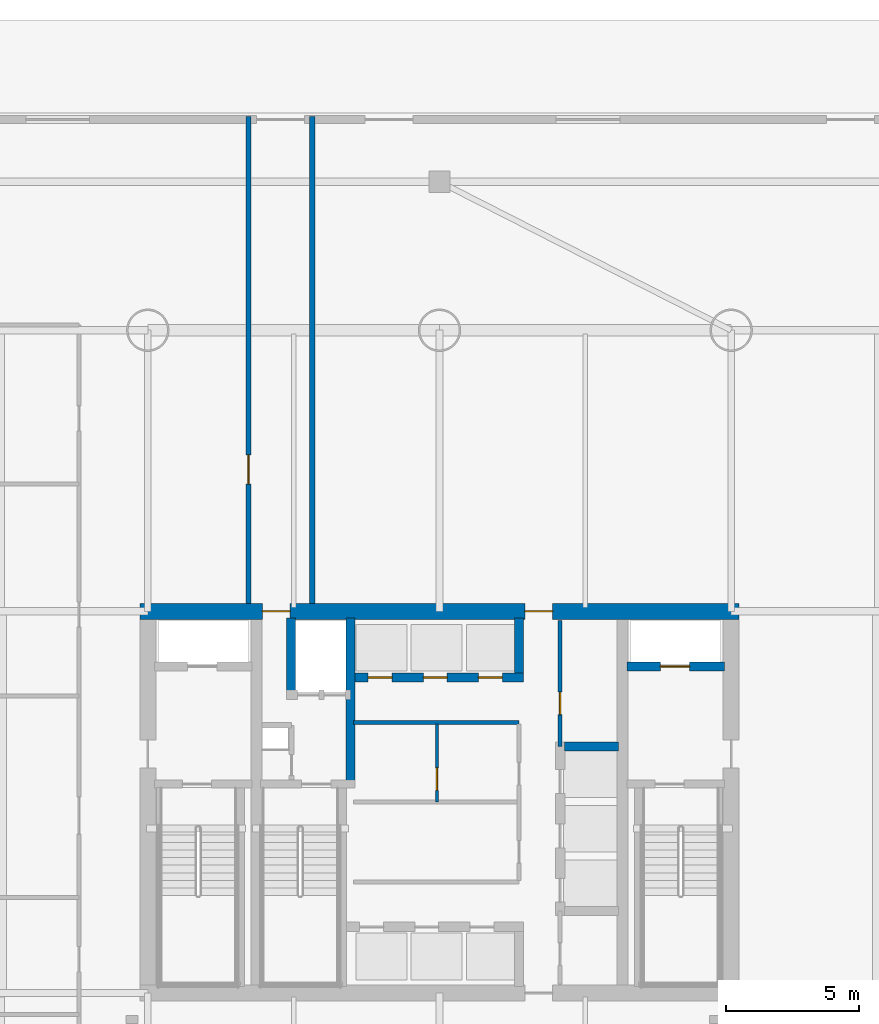
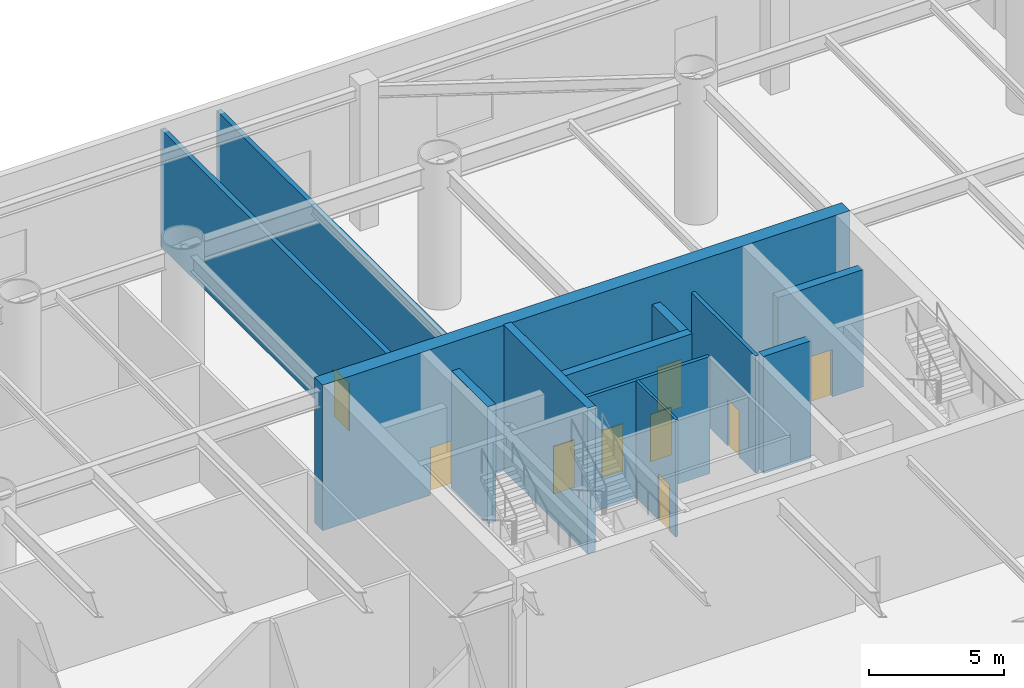
# One storey, part 6 of 15: 12 walls, 9 doors, 9 openings.
"""IFC4 building model written with IfcOpenShell, lengths in metres."""

from ifc_helpers import new_model, si_unit, direction, frame, frame_2d, origin, place, context, subcontext, project, spatial, rectangle, extrude, material, layer, layer_set, type_object, element, fill, save


model = new_model("IFC4")

# Units and contexts
model_context = context("Model", 3, precision=1e-05, world=origin(), true_north=direction((0.0, 1.0)))
body_context = subcontext(model_context, "Body", "Model", "MODEL_VIEW")
ifc_project = project(units=[si_unit("LENGTHUNIT", "METRE"), si_unit("AREAUNIT", "SQUARE_METRE"), si_unit("VOLUMEUNIT", "CUBIC_METRE"), si_unit("PLANEANGLEUNIT", "RADIAN"), si_unit("MASSUNIT", "GRAM", prefix="KILO")], contexts=[model_context])

# Site, building, storey
site_placement = place(None, origin())
site = spatial("IfcSite", under=ifc_project, at=site_placement, CompositionType="ELEMENT")
building_placement = place(site_placement, origin())
building = spatial("IfcBuilding", under=site, at=building_placement, Name="Bramvorn Convention Spire", CompositionType="ELEMENT")
storey_placement = place(building_placement, origin())
storey = spatial("IfcBuildingStorey", under=building, at=storey_placement, Name="L00", CompositionType="ELEMENT", Elevation=0.0)

# Wall, openings, doors
ifc_material_1 = material(Name="Concrete C60/70", Category="concrete")
ifc_layer_1 = layer(ifc_material_1, 0.60009765625)
ifc_layer_set_1 = layer_set([ifc_layer_1], Name="Concrete C60/70 - WL-CORE-600")
wall_type_1 = type_object("IfcWallType", Name="WL-CORE-600", PredefinedType="SHEAR", material=ifc_layer_set_1)
wall_1_placement = place(storey_placement, frame((26.699951171875, 33.199951171875, 0.0), z_axis=(0.0, 0.0, 1.0), x_axis=(1.0, 0.0, 0.0)))
wall_1 = element("IfcWall", 1, at=wall_1_placement, inside=storey, type_object=wall_type_1, Name="L00 North RC core shear wall", PredefinedType="SHEAR", context=body_context, shape_type="SweptSolid", body=[
    extrude(rectangle(XDim=22.60009765625, YDim=0.60009765625, at=frame_2d((11.300048828125, 0.0))), origin(), (0.0, 0.0, 1.0), 6.60009765625),
])
opening_1_placement = place(wall_1_placement, frame((4.6201171875, 0.0, 0.0)))
opening_1 = element("IfcOpeningElement", 2, at=opening_1_placement, cuts=wall_1, Name="Opening DL-105", PredefinedType="OPENING", context=body_context, shape_type="SweptSolid", body=[
    extrude(rectangle(XDim=1.050048828125, YDim=2.14990234375, at=frame_2d((0.52490234375, 1.074951171875))), frame((0.0, 0.31005859375, 0.0), z_axis=(0.0, -1.0, 0.0), x_axis=(1.0, 0.0, 0.0)), (0.0, 0.0, 1.0), 0.6201171875),
])
opening_2_placement = place(wall_1_placement, frame((14.52001953125, 0.0, 0.0)))
opening_2 = element("IfcOpeningElement", 3, at=opening_2_placement, cuts=wall_1, Name="Opening DL-105", PredefinedType="OPENING", context=body_context, shape_type="SweptSolid", body=[
    extrude(rectangle(XDim=1.050048828125, YDim=2.14990234375, at=frame_2d((0.52490234375, 1.074951171875))), frame((0.0, 0.31005859375, 0.0), z_axis=(0.0, -1.0, 0.0), x_axis=(1.0, 0.0, 0.0)), (0.0, 0.0, 1.0), 0.6201171875),
])
ifc_material_2 = material(Name="Smoke-Sealed Fire Lobby Timber-Core Door", Category="wood")
door_type_1 = type_object("IfcDoorType", Name="DR-LOBBY-1050", OperationType="NOTDEFINED", PredefinedType="DOOR", material=ifc_material_2)
door_1_placement = place(opening_1_placement, origin())
door_1 = element("IfcDoor", 4, at=door_1_placement, inside=storey, type_object=door_type_1, Name="L00 Service & Stair ST3 Lobby north corridor door", OperationType="SINGLE_SWING_LEFT", OverallHeight=2.14990234375, OverallWidth=1.050048828125, PredefinedType="DOOR", context=body_context, shape_type="SweptSolid", body=[
    extrude(rectangle(XDim=1.050048828125, YDim=2.14990234375, at=frame_2d((0.52490234375, 1.074951171875))), frame((0.0, 0.02490234375, 0.0), z_axis=(0.0, -1.0, 0.0), x_axis=(1.0, 0.0, 0.0)), (0.0, 0.0, 1.0), 0.050048828125),
])
fill(opening_1, door_1)
door_2_placement = place(opening_2_placement, origin())
door_2 = element("IfcDoor", 5, at=door_2_placement, inside=storey, type_object=door_type_1, Name="L00 North Lift Lobby fire door", OperationType="SINGLE_SWING_LEFT", OverallHeight=2.14990234375, OverallWidth=1.050048828125, PredefinedType="DOOR", context=body_context, shape_type="SweptSolid", body=[
    extrude(rectangle(XDim=1.050048828125, YDim=2.14990234375, at=frame_2d((0.52490234375, 1.074951171875))), frame((0.0, 0.02490234375, 0.0), z_axis=(0.0, -1.0, 0.0), x_axis=(1.0, 0.0, 0.0)), (0.0, 0.0, 1.0), 0.050048828125),
])
fill(opening_2, door_2)

# Wall, opening, door
ifc_material_3 = material(Name="Concrete C50/60", Category="concrete")
ifc_layer_2 = layer(ifc_material_3, 0.35009765625)
ifc_layer_set_2 = layer_set([ifc_layer_2], Name="Concrete C50/60 - WL-CORE-INT-350")
wall_type_2 = type_object("IfcWallType", Name="WL-CORE-INT-350", PredefinedType="SHEAR", material=ifc_layer_set_2)
wall_2_placement = place(storey_placement, frame((45.080078125, 31.1201171875, 0.0), z_axis=(0.0, 0.0, 1.0), x_axis=(1.0, 0.0, 0.0)))
wall_2 = element("IfcWall", 6, at=wall_2_placement, inside=storey, type_object=wall_type_2, Name="L00 FE2 shaft front wall", PredefinedType="SHEAR", context=body_context, shape_type="SweptSolid", body=[
    extrude(rectangle(XDim=3.669921875, YDim=0.35009765625, at=frame_2d((1.8349609375, 0.0))), origin(), (0.0, 0.0, 1.0), 5.31005859375),
])
opening_3_placement = place(wall_2_placement, frame((1.25, 0.0, 0.0)))
opening_3 = element("IfcOpeningElement", 7, at=opening_3_placement, cuts=wall_2, Name="Opening LD-110", PredefinedType="OPENING", context=body_context, shape_type="SweptSolid", body=[
    extrude(rectangle(XDim=1.10009765625, YDim=2.14990234375, at=frame_2d((0.550048828125, 1.074951171875))), frame((0.0, 0.18505859375, 0.0), z_axis=(0.0, -1.0, 0.0), x_axis=(1.0, 0.0, 0.0)), (0.0, 0.0, 1.0), 0.3701171875),
])
ifc_material_4 = material(Name="Firefighting & Service Lift Sliding Landing Door", Category="steel")
door_type_2 = type_object("IfcDoorType", Name="DR-LIFT-LD-1100", OperationType="NOTDEFINED", PredefinedType="DOOR", material=ifc_material_4)
door_3_placement = place(opening_3_placement, origin())
door_3 = element("IfcDoor", 8, at=door_3_placement, inside=storey, type_object=door_type_2, Name="L00 Lift FE2 Sliding Landing Door", OperationType="SLIDING_TO_LEFT", OverallHeight=2.14990234375, OverallWidth=1.10009765625, PredefinedType="DOOR", context=body_context, shape_type="SweptSolid", body=[
    extrude(rectangle(XDim=1.10009765625, YDim=2.14990234375, at=frame_2d((0.550048828125, 1.074951171875))), frame((0.0, 0.02490234375, 0.0), z_axis=(0.0, -1.0, 0.0), x_axis=(1.0, 0.0, 0.0)), (0.0, 0.0, 1.0), 0.050048828125),
])
fill(opening_3, door_3)

# Walls
wall_3_placement = place(storey_placement, frame((34.639892578125, 26.68994140625, 0.0), z_axis=(0.0, 0.0, 1.0), x_axis=(0.0, 1.0, 0.0)))
element("IfcWall", 9, at=wall_3_placement, inside=storey, type_object=wall_type_2, Name="L00 SV east core shaft wall", PredefinedType="SHEAR", context=body_context, shape_type="SweptSolid", body=[
    extrude(rectangle(XDim=6.260009765625, YDim=0.35009765625, at=frame_2d((3.1298828125, 0.0))), origin(), (0.0, 0.0, 1.0), 6.60009765625),
])
wall_4_placement = place(storey_placement, frame((32.39990234375, 30.219970703125, 0.0), z_axis=(0.0, 0.0, 1.0), x_axis=(0.0, 1.0, 0.0)))
element("IfcWall", 10, at=wall_4_placement, inside=storey, type_object=wall_type_2, Name="L00 SV1 west hoistway wall", PredefinedType="SHEAR", context=body_context, shape_type="SweptSolid", body=[
    extrude(rectangle(XDim=2.72998046875, YDim=0.35009765625, at=frame_2d((1.364990234375, 0.0))), origin(), (0.0, 0.0, 1.0), 5.31005859375),
])
wall_5_placement = place(storey_placement, frame((42.719970703125, 28.10009765625, 0.0), z_axis=(0.0, 0.0, 1.0), x_axis=(1.0, 0.0, 0.0)))
element("IfcWall", 11, at=wall_5_placement, inside=storey, type_object=wall_type_2, Name="L00 High-rise lift bank north wall", PredefinedType="SHEAR", context=body_context, shape_type="SweptSolid", body=[
    extrude(rectangle(XDim=2.030029296875, YDim=0.35009765625, at=frame_2d((1.01513671875, 0.0))), origin(), (0.0, 0.0, 1.0), 5.31005859375),
])

# Wall, openings, doors
wall_6_placement = place(storey_placement, frame((34.81005859375, 30.699951171875, 0.0), z_axis=(0.0, 0.0, 1.0), x_axis=(1.0, 0.0, 0.0)))
wall_6 = element("IfcWall", 12, at=wall_6_placement, inside=storey, type_object=wall_type_2, Name="L00 Low-rise bank south landing wall", PredefinedType="SHEAR", context=body_context, shape_type="SweptSolid", body=[
    extrude(rectangle(XDim=6.35986328125, YDim=0.35009765625, at=frame_2d((3.179931640625, 0.0))), origin(), (0.0, 0.0, 1.0), 5.31005859375),
])
opening_4_placement = place(wall_6_placement, frame((0.5, 0.0, 0.0)))
opening_4 = element("IfcOpeningElement", 13, at=opening_4_placement, cuts=wall_6, Name="Opening LD-090", PredefinedType="OPENING", context=body_context, shape_type="SweptSolid", body=[
    extrude(rectangle(XDim=0.89990234375, YDim=2.14990234375, at=frame_2d((0.449951171875, 1.074951171875))), frame((0.0, 0.18505859375, 0.0), z_axis=(0.0, -1.0, 0.0), x_axis=(1.0, 0.0, 0.0)), (0.0, 0.0, 1.0), 0.3701171875),
])
opening_5_placement = place(wall_6_placement, frame((2.580078125, 0.0, 0.0)))
opening_5 = element("IfcOpeningElement", 14, at=opening_5_placement, cuts=wall_6, Name="Opening LD-090", PredefinedType="OPENING", context=body_context, shape_type="SweptSolid", body=[
    extrude(rectangle(XDim=0.89990234375, YDim=2.14990234375, at=frame_2d((0.449951171875, 1.074951171875))), frame((0.0, 0.18505859375, 0.0), z_axis=(0.0, -1.0, 0.0), x_axis=(1.0, 0.0, 0.0)), (0.0, 0.0, 1.0), 0.3701171875),
])
opening_6_placement = place(wall_6_placement, frame((4.659912109375, 0.0, 0.0)))
opening_6 = element("IfcOpeningElement", 15, at=opening_6_placement, cuts=wall_6, Name="Opening LD-090", PredefinedType="OPENING", context=body_context, shape_type="SweptSolid", body=[
    extrude(rectangle(XDim=0.89990234375, YDim=2.14990234375, at=frame_2d((0.449951171875, 1.074951171875))), frame((0.0, 0.18505859375, 0.0), z_axis=(0.0, -1.0, 0.0), x_axis=(1.0, 0.0, 0.0)), (0.0, 0.0, 1.0), 0.3701171875),
])
ifc_material_5 = material(Name="Bi-Parting Fire-Rated Lift Landing Door", Category="steel")
door_type_3 = type_object("IfcDoorType", Name="DR-LIFT-LD-900", OperationType="NOTDEFINED", PredefinedType="DOOR", material=ifc_material_5)
door_4_placement = place(opening_4_placement, origin())
door_4 = element("IfcDoor", 16, at=door_4_placement, inside=storey, type_object=door_type_3, Name="L00 Lift PL1 Sliding Landing Door", OperationType="SLIDING_TO_LEFT", OverallHeight=2.14990234375, OverallWidth=0.89990234375, PredefinedType="DOOR", context=body_context, shape_type="SweptSolid", body=[
    extrude(rectangle(XDim=0.89990234375, YDim=2.14990234375, at=frame_2d((0.449951171875, 1.074951171875))), frame((0.0, 0.02490234375, 0.0), z_axis=(0.0, -1.0, 0.0), x_axis=(1.0, 0.0, 0.0)), (0.0, 0.0, 1.0), 0.050048828125),
])
fill(opening_4, door_4)
door_5_placement = place(opening_5_placement, origin())
door_5 = element("IfcDoor", 17, at=door_5_placement, inside=storey, type_object=door_type_3, Name="L00 Lift PL2 Sliding Landing Door", OperationType="SLIDING_TO_LEFT", OverallHeight=2.14990234375, OverallWidth=0.89990234375, PredefinedType="DOOR", context=body_context, shape_type="SweptSolid", body=[
    extrude(rectangle(XDim=0.89990234375, YDim=2.14990234375, at=frame_2d((0.449951171875, 1.074951171875))), frame((0.0, 0.02490234375, 0.0), z_axis=(0.0, -1.0, 0.0), x_axis=(1.0, 0.0, 0.0)), (0.0, 0.0, 1.0), 0.050048828125),
])
fill(opening_5, door_5)
door_6_placement = place(opening_6_placement, origin())
door_6 = element("IfcDoor", 18, at=door_6_placement, inside=storey, type_object=door_type_3, Name="L00 Lift PL3 Sliding Landing Door", OperationType="SLIDING_TO_LEFT", OverallHeight=2.14990234375, OverallWidth=0.89990234375, PredefinedType="DOOR", context=body_context, shape_type="SweptSolid", body=[
    extrude(rectangle(XDim=0.89990234375, YDim=2.14990234375, at=frame_2d((0.449951171875, 1.074951171875))), frame((0.0, 0.02490234375, 0.0), z_axis=(0.0, -1.0, 0.0), x_axis=(1.0, 0.0, 0.0)), (0.0, 0.0, 1.0), 0.050048828125),
])
fill(opening_6, door_6)

# Wall
wall_7_placement = place(storey_placement, frame((41.0, 30.8701171875, 0.0), z_axis=(0.0, 0.0, 1.0), x_axis=(0.0, 1.0, 0.0)))
element("IfcWall", 19, at=wall_7_placement, inside=storey, type_object=wall_type_2, Name="L00 Low-rise bank east cheek wall", PredefinedType="SHEAR", context=body_context, shape_type="SweptSolid", body=[
    extrude(rectangle(XDim=2.079833984375, YDim=0.35009765625, at=frame_2d((1.0400390625, 0.0))), origin(), (0.0, 0.0, 1.0), 5.31005859375),
])

# Wall, opening, door
ifc_material_6 = material(Name="Lightweight En-Suite & Wet-Wall Partition", Category="gypsum")
ifc_layer_3 = layer(ifc_material_6, 0.110107421875)
ifc_layer_set_3 = layer_set([ifc_layer_3], Name="Lightweight En-Suite & Wet-Wall Partition - WL-PART-110")
wall_type_3 = type_object("IfcWallType", Name="WL-PART-110", PredefinedType="PARTITIONING", material=ifc_layer_set_3)
wall_8_placement = place(storey_placement, frame((37.89990234375, 26.0, 0.0), z_axis=(0.0, 0.0, 1.0), x_axis=(0.0, 1.0, 0.0)))
wall_8 = element("IfcWall", 20, at=wall_8_placement, inside=storey, type_object=wall_type_3, Name="L00 Core restroom subwall", PredefinedType="PARTITIONING", context=body_context, shape_type="SweptSolid", body=[
    extrude(rectangle(XDim=2.949951171875, YDim=0.110107421875, at=frame_2d((1.47509765625, 0.0))), origin(), (0.0, 0.0, 1.0), 5.31005859375),
])
opening_7_placement = place(wall_8_placement, frame((0.449951171875, 0.0, 0.0)))
opening_7 = element("IfcOpeningElement", 21, at=opening_7_placement, cuts=wall_8, Name="Opening DC-085", PredefinedType="OPENING", context=body_context, shape_type="SweptSolid", body=[
    extrude(rectangle(XDim=0.85009765625, YDim=2.10009765625, at=frame_2d((0.425048828125, 1.050048828125))), frame((0.0, 0.06494140625, 0.0), z_axis=(0.0, -1.0, 0.0), x_axis=(1.0, 0.0, 0.0)), (0.0, 0.0, 1.0), 0.130126953125),
])
ifc_material_7 = material(Name="Fire-Rated Core Washroom & IDF Door", Category="wood")
door_type_4 = type_object("IfcDoorType", Name="DR-CORE-850", OperationType="NOTDEFINED", PredefinedType="DOOR", material=ifc_material_7)
door_7_placement = place(opening_7_placement, origin())
door_7 = element("IfcDoor", 22, at=door_7_placement, inside=storey, type_object=door_type_4, Name="L00 Core telecom store door", OperationType="SINGLE_SWING_LEFT", OverallHeight=2.10009765625, OverallWidth=0.85009765625, PredefinedType="DOOR", context=body_context, shape_type="SweptSolid", body=[
    extrude(rectangle(XDim=0.85009765625, YDim=2.10009765625, at=frame_2d((0.425048828125, 1.050048828125))), frame((0.0, 0.02490234375, 0.0), z_axis=(0.0, -1.0, 0.0), x_axis=(1.0, 0.0, 0.0)), (0.0, 0.0, 1.0), 0.050048828125),
])
fill(opening_7, door_7)

# Wall
ifc_material_8 = material(Name="Acoustic Metal-Stud Tenant/Corridor Partition", Category="gypsum")
ifc_layer_4 = layer(ifc_material_8, 0.14990234375)
ifc_layer_set_4 = layer_set([ifc_layer_4], Name="Acoustic Metal-Stud Tenant/Corridor Partition - WL-PART-150")
wall_type_4 = type_object("IfcWallType", Name="WL-PART-150", PredefinedType="PARTITIONING", material=ifc_layer_set_4)
wall_9_placement = place(storey_placement, frame((34.75, 29.0, 0.0), z_axis=(0.0, 0.0, 1.0), x_axis=(1.0, 0.0, 0.0)))
element("IfcWall", 23, at=wall_9_placement, inside=storey, type_object=wall_type_4, Name="L00 Low-rise lift vestibule south wall", PredefinedType="PARTITIONING", context=body_context, shape_type="SweptSolid", body=[
    extrude(rectangle(XDim=6.25, YDim=0.14990234375, at=frame_2d((3.125, 0.0))), origin(), (0.0, 0.0, 1.0), 5.31005859375),
])

# Wall, opening, door
wall_10_placement = place(storey_placement, frame((42.550048828125, 28.10009765625, 0.0), z_axis=(0.0, 0.0, 1.0), x_axis=(0.0, 1.0, 0.0)))
wall_10 = element("IfcWall", 24, at=wall_10_placement, inside=storey, type_object=wall_type_4, Name="L00 Core NE store wall", PredefinedType="PARTITIONING", context=body_context, shape_type="SweptSolid", body=[
    extrude(rectangle(XDim=4.75, YDim=0.14990234375, at=frame_2d((2.375, 0.0))), origin(), (0.0, 0.0, 1.0), 5.31005859375),
])
opening_8_placement = place(wall_10_placement, frame((1.199951171875, 0.0, 0.0)))
opening_8 = element("IfcOpeningElement", 25, at=opening_8_placement, cuts=wall_10, Name="Opening DC-085", PredefinedType="OPENING", context=body_context, shape_type="SweptSolid", body=[
    extrude(rectangle(XDim=0.85009765625, YDim=2.10009765625, at=frame_2d((0.425048828125, 1.050048828125))), frame((0.0, 0.0849609375, 0.0), z_axis=(0.0, -1.0, 0.0), x_axis=(1.0, 0.0, 0.0)), (0.0, 0.0, 1.0), 0.169921875),
])
door_8_placement = place(opening_8_placement, origin())
door_8 = element("IfcDoor", 26, at=door_8_placement, inside=storey, type_object=door_type_4, Name="L00 Core NE store door", OperationType="SINGLE_SWING_LEFT", OverallHeight=2.10009765625, OverallWidth=0.85009765625, PredefinedType="DOOR", context=body_context, shape_type="SweptSolid", body=[
    extrude(rectangle(XDim=0.85009765625, YDim=2.10009765625, at=frame_2d((0.425048828125, 1.050048828125))), frame((0.0, 0.02490234375, 0.0), z_axis=(0.0, -1.0, 0.0), x_axis=(1.0, 0.0, 0.0)), (0.0, 0.0, 1.0), 0.050048828125),
])
fill(opening_8, door_8)

ifc_material_9 = material(Name="Gypsum Shaftwall & Rockwool Core Partition", Category="gypsum")
ifc_layer_5 = layer(ifc_material_9, 0.199951171875)
ifc_layer_set_5 = layer_set([ifc_layer_5], Name="Gypsum Shaftwall & Rockwool Core Partition - WL-PART-200-FR")
wall_type_5 = type_object("IfcWallType", Name="WL-PART-200-FR", PredefinedType="PARTITIONING", material=ifc_layer_set_5)
wall_11_placement = place(storey_placement, frame((30.800048828125, 33.5, 0.0), z_axis=(0.0, 0.0, 1.0), x_axis=(0.0, 1.0, 0.0)))
wall_11 = element("IfcWall", 27, at=wall_11_placement, inside=storey, type_object=wall_type_5, Name="L00 ST3 Protected Passage west wall", PredefinedType="PARTITIONING", context=body_context, shape_type="SweptSolid", body=[
    extrude(rectangle(XDim=18.360107421875, YDim=0.199951171875, at=frame_2d((9.18017578125, 0.0))), origin(), (0.0, 0.0, 1.0), 5.31005859375),
])
opening_9_placement = place(wall_11_placement, frame((4.5, 0.0, 0.0)))
opening_9 = element("IfcOpeningElement", 28, at=opening_9_placement, cuts=wall_11, Name="Opening DS-110", PredefinedType="OPENING", context=body_context, shape_type="SweptSolid", body=[
    extrude(rectangle(XDim=1.10009765625, YDim=2.14990234375, at=frame_2d((0.550048828125, 1.074951171875))), frame((0.0, 0.10986328125, 0.0), z_axis=(0.0, -1.0, 0.0), x_axis=(1.0, 0.0, 0.0)), (0.0, 0.0, 1.0), 0.219970703125),
])
ifc_material_10 = material(Name="Fire-Rated Hollow Steel Stairwell Door", Category="steel")
door_type_5 = type_object("IfcDoorType", Name="DR-STAIR-1100", OperationType="NOTDEFINED", PredefinedType="DOOR", material=ifc_material_10)
door_9_placement = place(opening_9_placement, origin())
door_9 = element("IfcDoor", 29, at=door_9_placement, inside=storey, type_object=door_type_5, Name="L00 ST3 Protected Passage concourse fire door", OperationType="SINGLE_SWING_LEFT", OverallHeight=2.14990234375, OverallWidth=1.10009765625, PredefinedType="DOOR", context=body_context, shape_type="SweptSolid", body=[
    extrude(rectangle(XDim=1.10009765625, YDim=2.14990234375, at=frame_2d((0.550048828125, 1.074951171875))), frame((0.0, 0.02490234375, 0.0), z_axis=(0.0, -1.0, 0.0), x_axis=(1.0, 0.0, 0.0)), (0.0, 0.0, 1.0), 0.050048828125),
])
fill(opening_9, door_9)

# Wall
wall_12_placement = place(storey_placement, frame((33.199951171875, 33.5, 0.0), z_axis=(0.0, 0.0, 1.0), x_axis=(0.0, 1.0, 0.0)))
element("IfcWall", 30, at=wall_12_placement, inside=storey, type_object=wall_type_5, Name="L00 ST3 Protected Passage east wall", PredefinedType="PARTITIONING", context=body_context, shape_type="SweptSolid", body=[
    extrude(rectangle(XDim=18.360107421875, YDim=0.199951171875, at=frame_2d((9.18017578125, 0.0))), origin(), (0.0, 0.0, 1.0), 5.31005859375),
])

save(model, "model.ifc")
